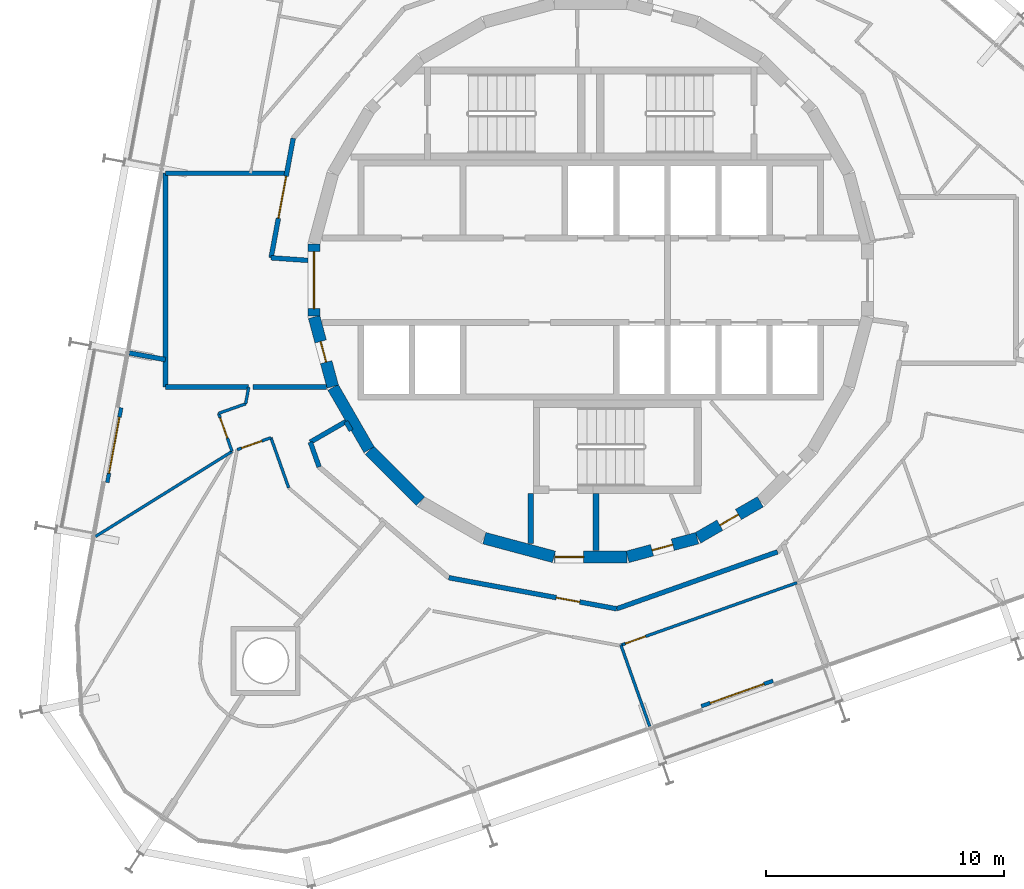
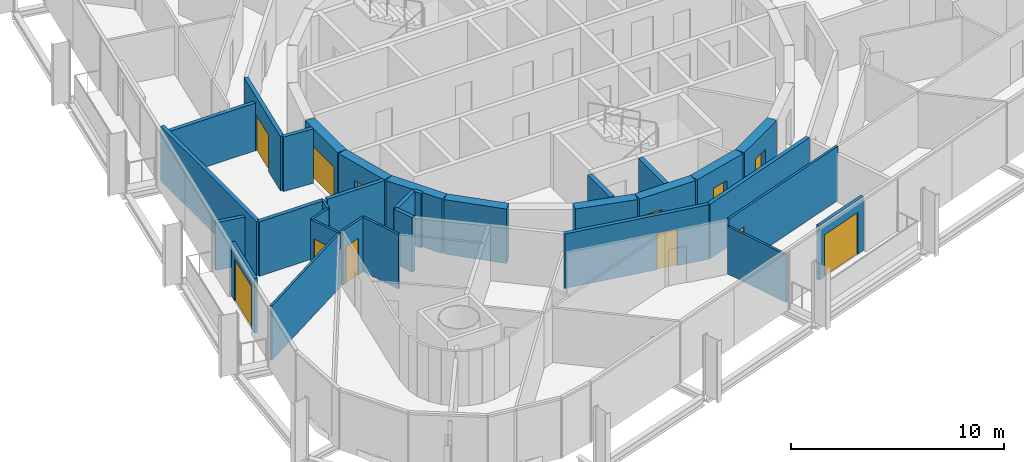
# One storey, part 11 of 17: 32 walls, 12 doors, 12 openings.
"""IFC4 building model written with IfcOpenShell, lengths in metres."""

from ifc_helpers import new_model, si_unit, direction, frame, frame_2d, origin, place, context, subcontext, project, spatial, rectangle, extrude, material, layer, layer_set, type_object, element, fill, save


model = new_model("IFC4")

# Units and contexts
model_context = context("Model", 3, precision=1e-05, world=origin(), true_north=direction((0.0, 1.0)))
body_context = subcontext(model_context, "Body", "Model", "MODEL_VIEW")
ifc_project = project(units=[si_unit("LENGTHUNIT", "METRE"), si_unit("AREAUNIT", "SQUARE_METRE"), si_unit("VOLUMEUNIT", "CUBIC_METRE"), si_unit("PLANEANGLEUNIT", "RADIAN"), si_unit("MASSUNIT", "GRAM", prefix="KILO")], contexts=[model_context])

# Site, building, storey
site_placement = place(None, origin())
site = spatial("IfcSite", under=ifc_project, at=site_placement, CompositionType="ELEMENT")
building_placement = place(site_placement, origin())
building = spatial("IfcBuilding", under=site, at=building_placement, Name="Spindle Arch Residences", CompositionType="ELEMENT")
storey_placement = place(building_placement, frame((0.0, 0.0, 169.199951171875)))
storey = spatial("IfcBuildingStorey", under=building, at=storey_placement, Name="L42", CompositionType="ELEMENT", Elevation=169.199951171875)

# Wall, opening, door
ifc_material_1 = material(Name="Concrete C50/60", Category="concrete")
ifc_layer_1 = layer(ifc_material_1, 0.5)
ifc_layer_set_1 = layer_set([ifc_layer_1], Name="Core outline wall 500")
wall_type_1 = type_object("IfcWallType", Name="Core outline wall 500", PredefinedType="SHEAR", material=ifc_layer_set_1)
wall_1_placement = place(storey_placement, frame((1.5498046875, -11.642822265625, 0.0), z_axis=(0.0, 0.0, 1.0), x_axis=(0.965948410781, 0.258734743916, 0.0)))
wall_1 = element("IfcWall", 1, at=wall_1_placement, inside=storey, type_object=wall_type_1, Name="Core outline wall 1", PredefinedType="SHEAR", context=body_context, shape_type="SweptSolid", body=[
    extrude(rectangle(XDim=3.03271484375, YDim=0.5, at=frame_2d((1.516357421875, 0.0))), origin(), (0.0, 0.0, 1.0), 3.1201171875),
])
opening_1_placement = place(wall_1_placement, frame((1.06640625, 0.0, 0.0)))
opening_1 = element("IfcOpeningElement", 2, at=opening_1_placement, cuts=wall_1, Name="Opening R4B1-WD07", PredefinedType="OPENING", context=body_context, shape_type="SweptSolid", body=[
    extrude(rectangle(XDim=0.89990234375, YDim=2.10009765625, at=frame_2d((0.449951171875, 1.050048828125))), frame((0.0, 0.260009765625, 0.0), z_axis=(0.0, -1.0, 0.0), x_axis=(1.0, 0.0, 0.0)), (0.0, 0.0, 1.0), 0.52001953125),
])
ifc_material_2 = material(Name="Steel, fire-resisting door", Category="steel")
door_type_1 = type_object("IfcDoorType", Name="Service room door 900x2100", OperationType="SINGLE_SWING_LEFT", PredefinedType="DOOR", material=ifc_material_2)
door_1_placement = place(opening_1_placement, origin())
door_1 = element("IfcDoor", 3, at=door_1_placement, inside=storey, type_object=door_type_1, Name="Service room door R4B1-WD07", OperationType="SINGLE_SWING_LEFT", OverallHeight=2.10009765625, OverallWidth=0.89990234375, PredefinedType="DOOR", context=body_context, shape_type="SweptSolid", body=[
    extrude(rectangle(XDim=0.89990234375, YDim=2.10009765625, at=frame_2d((0.449951171875, 1.050048828125))), frame((0.0, 0.02490234375, 0.0), z_axis=(0.0, -1.0, 0.0), x_axis=(1.0, 0.0, 0.0)), (0.0, 0.0, 1.0), 0.050048828125),
])
fill(opening_1, door_1)

wall_2_placement = place(storey_placement, frame((4.510498046875, -10.84521484375, 0.0), z_axis=(0.0, 0.0, 1.0), x_axis=(0.865975092491, 0.500087131594, 0.0)))
wall_2 = element("IfcWall", 4, at=wall_2_placement, inside=storey, type_object=wall_type_1, Name="Core outline wall 2", PredefinedType="SHEAR", context=body_context, shape_type="SweptSolid", body=[
    extrude(rectangle(XDim=3.03271484375, YDim=0.5, at=frame_2d((1.516357421875, 0.0))), origin(), (0.0, 0.0, 1.0), 3.1201171875),
])
opening_2_placement = place(wall_2_placement, frame((1.06640625, 0.0, 0.0)))
opening_2 = element("IfcOpeningElement", 5, at=opening_2_placement, cuts=wall_2, Name="Opening R4B1-WD08", PredefinedType="OPENING", context=body_context, shape_type="SweptSolid", body=[
    extrude(rectangle(XDim=0.89990234375, YDim=2.10009765625, at=frame_2d((0.449951171875, 1.050048828125))), frame((0.0, 0.260009765625, 0.0), z_axis=(0.0, -1.0, 0.0), x_axis=(1.0, 0.0, 0.0)), (0.0, 0.0, 1.0), 0.52001953125),
])
door_2_placement = place(opening_2_placement, origin())
door_2 = element("IfcDoor", 6, at=door_2_placement, inside=storey, type_object=door_type_1, Name="Service room door R4B1-WD08", OperationType="SINGLE_SWING_RIGHT", OverallHeight=2.10009765625, OverallWidth=0.89990234375, PredefinedType="DOOR", context=body_context, shape_type="SweptSolid", body=[
    extrude(rectangle(XDim=0.89990234375, YDim=2.10009765625, at=frame_2d((0.449951171875, 1.050048828125))), frame((0.0, 0.02490234375, 0.0), z_axis=(0.0, -1.0, 0.0), x_axis=(1.0, 0.0, 0.0)), (0.0, 0.0, 1.0), 0.050048828125),
])
fill(opening_2, door_2)

wall_3_placement = place(storey_placement, frame((-11.647216796875, 1.516357421875, 0.0), z_axis=(0.0, 0.0, 1.0), x_axis=(0.0, -1.0, 0.0)))
wall_3 = element("IfcWall", 7, at=wall_3_placement, inside=storey, type_object=wall_type_1, Name="Core outline wall 18", PredefinedType="SHEAR", context=body_context, shape_type="SweptSolid", body=[
    extrude(rectangle(XDim=3.03271484375, YDim=0.5, at=frame_2d((1.516357421875, 0.0))), origin(), (0.0, 0.0, 1.0), 3.1201171875),
])
opening_3_placement = place(wall_3_placement, frame((0.31640625, 0.0, 0.0)))
opening_3 = element("IfcOpeningElement", 8, at=opening_3_placement, cuts=wall_3, Name="Opening R4B1-LE01", PredefinedType="OPENING", context=body_context, shape_type="SweptSolid", body=[
    extrude(rectangle(XDim=2.39990234375, YDim=2.10009765625, at=frame_2d((1.199951171875, 1.050048828125))), frame((0.0, 0.260009765625, 0.0), z_axis=(0.0, -1.0, 0.0), x_axis=(1.0, 0.0, 0.0)), (0.0, 0.0, 1.0), 0.52001953125),
])
ifc_material_3 = material(Name="Steel, fire-resisting door", Category="steel")
door_type_2 = type_object("IfcDoorType", Name="Lift lobby entrance door 2400x2100", OperationType="DOUBLE_DOOR_SINGLE_SWING", PredefinedType="DOOR", material=ifc_material_3)
door_3_placement = place(opening_3_placement, origin())
door_3 = element("IfcDoor", 9, at=door_3_placement, inside=storey, type_object=door_type_2, Name="Lift lobby entrance door R4B1-LE01", OperationType="DOUBLE_DOOR_SINGLE_SWING", OverallHeight=2.10009765625, OverallWidth=2.39990234375, PredefinedType="DOOR", context=body_context, shape_type="SweptSolid", body=[
    extrude(rectangle(XDim=2.39990234375, YDim=2.10009765625, at=frame_2d((1.199951171875, 1.050048828125))), frame((0.0, 0.02490234375, 0.0), z_axis=(0.0, -1.0, 0.0), x_axis=(1.0, 0.0, 0.0)), (0.0, 0.0, 1.0), 0.050048828125),
])
fill(opening_3, door_3)

wall_4_placement = place(storey_placement, frame((-11.642822265625, -1.5498046875, 0.0), z_axis=(0.0, 0.0, 1.0), x_axis=(0.258734743916, -0.965948410781, 0.0)))
wall_4 = element("IfcWall", 10, at=wall_4_placement, inside=storey, type_object=wall_type_1, Name="Core outline wall 19", PredefinedType="SHEAR", context=body_context, shape_type="SweptSolid", body=[
    extrude(rectangle(XDim=3.03271484375, YDim=0.5, at=frame_2d((1.516357421875, 0.0))), origin(), (0.0, 0.0, 1.0), 3.1201171875),
])
opening_4_placement = place(wall_4_placement, frame((1.06640625, 0.0, 0.0)))
opening_4 = element("IfcOpeningElement", 11, at=opening_4_placement, cuts=wall_4, Name="Opening R4B1-WD09", PredefinedType="OPENING", context=body_context, shape_type="SweptSolid", body=[
    extrude(rectangle(XDim=0.89990234375, YDim=2.10009765625, at=frame_2d((0.449951171875, 1.050048828125))), frame((0.0, 0.260009765625, 0.0), z_axis=(0.0, -1.0, 0.0), x_axis=(1.0, 0.0, 0.0)), (0.0, 0.0, 1.0), 0.52001953125),
])
door_4_placement = place(opening_4_placement, origin())
door_4 = element("IfcDoor", 12, at=door_4_placement, inside=storey, type_object=door_type_1, Name="Service room door R4B1-WD09", OperationType="SINGLE_SWING_LEFT", OverallHeight=2.10009765625, OverallWidth=0.89990234375, PredefinedType="DOOR", context=body_context, shape_type="SweptSolid", body=[
    extrude(rectangle(XDim=0.89990234375, YDim=2.10009765625, at=frame_2d((0.449951171875, 1.050048828125))), frame((0.0, 0.02490234375, 0.0), z_axis=(0.0, -1.0, 0.0), x_axis=(1.0, 0.0, 0.0)), (0.0, 0.0, 1.0), 0.050048828125),
])
fill(opening_4, door_4)

# Walls
wall_5_placement = place(storey_placement, frame((-10.84521484375, -4.510498046875, 0.0), z_axis=(0.0, 0.0, 1.0), x_axis=(0.500087131594, -0.865975092491, 0.0)))
element("IfcWall", 13, at=wall_5_placement, inside=storey, type_object=wall_type_1, Name="Core outline wall 20", PredefinedType="SHEAR", context=body_context, shape_type="SweptSolid", body=[
    extrude(rectangle(XDim=3.03271484375, YDim=0.5, at=frame_2d((1.516357421875, 0.0))), origin(), (0.0, 0.0, 1.0), 3.1201171875),
])
wall_6_placement = place(storey_placement, frame((-9.30810546875, -7.163818359375, 0.0), z_axis=(0.0, 0.0, 1.0), x_axis=(0.707106781187, -0.707106781187, 0.0)))
element("IfcWall", 14, at=wall_6_placement, inside=storey, type_object=wall_type_1, Name="Core outline wall 21", PredefinedType="SHEAR", context=body_context, shape_type="SweptSolid", body=[
    extrude(rectangle(XDim=3.032470703125, YDim=0.5, at=frame_2d((1.51611328125, 0.0))), origin(), (0.0, 0.0, 1.0), 3.1201171875),
])
wall_7_placement = place(storey_placement, frame((-4.479248046875, -10.858154296875, 0.0), z_axis=(0.0, 0.0, 1.0), x_axis=(0.965948410781, -0.258734743916, 0.0)))
element("IfcWall", 15, at=wall_7_placement, inside=storey, type_object=wall_type_1, Name="Core outline wall 23", PredefinedType="SHEAR", context=body_context, shape_type="SweptSolid", body=[
    extrude(rectangle(XDim=3.03271484375, YDim=0.5, at=frame_2d((1.516357421875, 0.0))), origin(), (0.0, 0.0, 1.0), 3.1201171875),
])

# Wall, opening, door
wall_8_placement = place(storey_placement, frame((-1.516357421875, -11.647216796875, 0.0), z_axis=(0.0, 0.0, 1.0), x_axis=(1.0, 0.0, 0.0)))
wall_8 = element("IfcWall", 16, at=wall_8_placement, inside=storey, type_object=wall_type_1, Name="Core outline wall 24", PredefinedType="SHEAR", context=body_context, shape_type="SweptSolid", body=[
    extrude(rectangle(XDim=3.03271484375, YDim=0.5, at=frame_2d((1.516357421875, 0.0))), origin(), (0.0, 0.0, 1.0), 3.1201171875),
])
opening_5_placement = place(wall_8_placement, frame((0.016357421875, 0.0, 0.0)))
opening_5 = element("IfcOpeningElement", 17, at=opening_5_placement, cuts=wall_8, Name="Opening R4B1-AD03", PredefinedType="OPENING", context=body_context, shape_type="SweptSolid", body=[
    extrude(rectangle(XDim=1.199951171875, YDim=2.10009765625, at=frame_2d((0.60009765625, 1.050048828125))), frame((0.0, 0.260009765625, 0.0), z_axis=(0.0, -1.0, 0.0), x_axis=(1.0, 0.0, 0.0)), (0.0, 0.0, 1.0), 0.52001953125),
])
ifc_material_4 = material(Name="Steel, fire-resisting door", Category="steel")
door_type_3 = type_object("IfcDoorType", Name="Stair airlock door 1200x2100", OperationType="SINGLE_SWING_LEFT", PredefinedType="DOOR", material=ifc_material_4)
door_5_placement = place(opening_5_placement, origin())
door_5 = element("IfcDoor", 18, at=door_5_placement, inside=storey, type_object=door_type_3, Name="Stair airlock door R4B1-AD03", OperationType="SINGLE_SWING_RIGHT", OverallHeight=2.10009765625, OverallWidth=1.199951171875, PredefinedType="DOOR", context=body_context, shape_type="SweptSolid", body=[
    extrude(rectangle(XDim=1.199951171875, YDim=2.10009765625, at=frame_2d((0.60009765625, 1.050048828125))), frame((0.0, 0.02490234375, 0.0), z_axis=(0.0, -1.0, 0.0), x_axis=(1.0, 0.0, 0.0)), (0.0, 0.0, 1.0), 0.050048828125),
])
fill(opening_5, door_5)

# Walls
ifc_material_5 = material(Name="Calcium silicate block, plastered")
ifc_layer_2 = layer(ifc_material_5, 0.199951171875)
ifc_layer_set_2 = layer_set([ifc_layer_2], Name="Corridor wall 200")
wall_type_2 = type_object("IfcWallType", Name="Corridor wall 200", PredefinedType="STANDARD", material=ifc_layer_set_2)
wall_9_placement = place(storey_placement, frame((-10.303466796875, -5.94873046875, 0.0), z_axis=(0.0, 0.0, 1.0), x_axis=(-0.866021168401, -0.500007335828, 0.0)))
element("IfcWall", 19, at=wall_9_placement, inside=storey, type_object=wall_type_2, Name="Corridor wall R4B1-W014", PredefinedType="STANDARD", context=body_context, shape_type="SweptSolid", body=[
    extrude(rectangle(XDim=1.73095703125, YDim=0.199951171875, at=frame_2d((0.865478515625, 0.0))), origin(), (0.0, 0.0, 1.0), 3.1201171875),
])
wall_10_placement = place(storey_placement, frame((-11.802490234375, -6.814208984375, 0.0), z_axis=(0.0, 0.0, 1.0), x_axis=(0.333904297771, -0.942606980629, 0.0)))
element("IfcWall", 20, at=wall_10_placement, inside=storey, type_object=wall_type_2, Name="Corridor wall R4B1-W015", PredefinedType="STANDARD", context=body_context, shape_type="SweptSolid", body=[
    extrude(rectangle(XDim=1.10693359375, YDim=0.199951171875, at=frame_2d((0.553466796875, 0.0))), origin(), (0.0, 0.0, 1.0), 3.1201171875),
])
wall_11_placement = place(storey_placement, frame((-10.303466796875, -5.94873046875, 0.0), z_axis=(0.0, 0.0, 1.0), x_axis=(0.499980071345, -0.866036909293, 0.0)))
element("IfcWall", 21, at=wall_11_placement, inside=storey, type_object=wall_type_2, Name="Corridor wall R4B1-W017", PredefinedType="STANDARD", context=body_context, shape_type="SweptSolid", body=[
    extrude(rectangle(XDim=0.4375, YDim=0.199951171875, at=frame_2d((0.21875, 0.0))), origin(), (0.0, 0.0, 1.0), 3.1201171875),
])

# Wall, opening, door
wall_12_placement = place(storey_placement, frame((-5.972412109375, -12.521240234375, 0.0), z_axis=(0.0, 0.0, 1.0), x_axis=(0.983256068163, -0.18222926335, 0.0)))
wall_12 = element("IfcWall", 22, at=wall_12_placement, inside=storey, type_object=wall_type_2, Name="Corridor wall R4B1-W018", PredefinedType="STANDARD", context=body_context, shape_type="SweptSolid", body=[
    extrude(rectangle(XDim=7.180908203125, YDim=0.199951171875, at=frame_2d((3.59033203125, 0.0))), origin(), (0.0, 0.0, 1.0), 3.1201171875),
])
opening_6_placement = place(wall_12_placement, frame((4.60009765625, 0.0, 0.0)))
opening_6 = element("IfcOpeningElement", 23, at=opening_6_placement, cuts=wall_12, Name="Opening R4B1-FD05", PredefinedType="OPENING", context=body_context, shape_type="SweptSolid", body=[
    extrude(rectangle(XDim=1.0, YDim=2.10009765625, at=frame_2d((0.5, 1.050048828125))), frame((0.0, 0.10986328125, 0.0), z_axis=(0.0, -1.0, 0.0), x_axis=(1.0, 0.0, 0.0)), (0.0, 0.0, 1.0), 0.219970703125),
])
ifc_material_6 = material(Name="Timber, fire-resisting door set", Category="wood")
door_type_4 = type_object("IfcDoorType", Name="Flat entrance door 1000x2100", OperationType="NOTDEFINED", PredefinedType="DOOR", material=ifc_material_6)
door_6_placement = place(opening_6_placement, origin())
door_6 = element("IfcDoor", 24, at=door_6_placement, inside=storey, type_object=door_type_4, Name="Flat entrance door R4B1-FD05", OperationType="SINGLE_SWING_LEFT", OverallHeight=2.10009765625, OverallWidth=1.0, PredefinedType="DOOR", context=body_context, shape_type="SweptSolid", body=[
    extrude(rectangle(XDim=1.0, YDim=2.10009765625, at=frame_2d((0.5, 1.050048828125))), frame((0.0, 0.02490234375, 0.0), z_axis=(0.0, -1.0, 0.0), x_axis=(1.0, 0.0, 0.0)), (0.0, 0.0, 1.0), 0.050048828125),
])
fill(opening_6, door_6)

# Walls
wall_13_placement = place(storey_placement, frame((1.08837890625, -13.829833984375, 0.0), z_axis=(0.0, 0.0, 1.0), x_axis=(0.942648397945, 0.333787354241, 0.0)))
element("IfcWall", 25, at=wall_13_placement, inside=storey, type_object=wall_type_2, Name="Corridor wall R4B1-W019", PredefinedType="STANDARD", context=body_context, shape_type="SweptSolid", body=[
    extrude(rectangle(XDim=7.18115234375, YDim=0.199951171875, at=frame_2d((3.590576171875, 0.0))), origin(), (0.0, 0.0, 1.0), 3.1201171875),
])
ifc_material_7 = material(Name="Plasterboard on steel studs", Category="steel")
ifc_layer_3 = layer(ifc_material_7, 0.1201171875)
ifc_layer_set_3 = layer_set([ifc_layer_3], Name="Flat partition 120")
wall_type_3 = type_object("IfcWallType", Name="Flat partition 120", PredefinedType="PARTITIONING", material=ifc_layer_set_3)
wall_14_placement = place(storey_placement, frame((-14.39404296875, -4.5, 0.0), z_axis=(0.0, 0.0, 1.0), x_axis=(-0.182101494457, -0.983279739299, 0.0)))
element("IfcWall", 26, at=wall_14_placement, inside=storey, type_object=wall_type_3, Name="Flat partition R4B1-W084", PredefinedType="PARTITIONING", context=body_context, shape_type="SweptSolid", body=[
    extrude(rectangle(XDim=0.714599609375, YDim=0.1201171875, at=frame_2d((0.357421875, 0.0))), origin(), (0.0, 0.0, 1.0), 3.1201171875),
])
wall_15_placement = place(storey_placement, frame((-14.524169921875, -5.20263671875, 0.0), z_axis=(0.0, 0.0, 1.0), x_axis=(-0.942657704592, -0.333761070187, 0.0)))
element("IfcWall", 27, at=wall_15_placement, inside=storey, type_object=wall_type_3, Name="Flat partition R4B1-W085", PredefinedType="PARTITIONING", context=body_context, shape_type="SweptSolid", body=[
    extrude(rectangle(XDim=1.207763671875, YDim=0.1201171875, at=frame_2d((0.60400390625, 0.0))), origin(), (0.0, 0.0, 1.0), 3.1201171875),
])

# Wall, opening, door
wall_16_placement = place(storey_placement, frame((-15.66259765625, -5.605712890625, 0.0), z_axis=(0.0, 0.0, 1.0), x_axis=(0.333751436931, -0.942661115325, 0.0)))
wall_16 = element("IfcWall", 28, at=wall_16_placement, inside=storey, type_object=wall_type_3, Name="Flat partition R4B1-W086", PredefinedType="PARTITIONING", context=body_context, shape_type="SweptSolid", body=[
    extrude(rectangle(XDim=1.699951171875, YDim=0.1201171875, at=frame_2d((0.85009765625, 0.0))), origin(), (0.0, 0.0, 1.0), 3.1201171875),
])
opening_7_placement = place(wall_16_placement, frame((0.199951171875, 0.0, 0.0)))
opening_7 = element("IfcOpeningElement", 29, at=opening_7_placement, cuts=wall_16, Name="Opening R4B1-ID17", PredefinedType="OPENING", context=body_context, shape_type="SweptSolid", body=[
    extrude(rectangle(XDim=0.89990234375, YDim=2.10009765625, at=frame_2d((0.449951171875, 1.050048828125))), frame((0.0, 0.070068359375, 0.0), z_axis=(0.0, -1.0, 0.0), x_axis=(1.0, 0.0, 0.0)), (0.0, 0.0, 1.0), 0.14013671875),
])
ifc_material_8 = material(Name="Timber door set", Category="wood")
door_type_5 = type_object("IfcDoorType", Name="Room door 900x2100", OperationType="NOTDEFINED", PredefinedType="DOOR", material=ifc_material_8)
door_7_placement = place(opening_7_placement, origin())
door_7 = element("IfcDoor", 30, at=door_7_placement, inside=storey, type_object=door_type_5, Name="Room door R4B1-ID17", OperationType="SINGLE_SWING_RIGHT", OverallHeight=2.10009765625, OverallWidth=0.89990234375, PredefinedType="DOOR", context=body_context, shape_type="SweptSolid", body=[
    extrude(rectangle(XDim=0.89990234375, YDim=2.10009765625, at=frame_2d((0.449951171875, 1.050048828125))), frame((0.0, 0.02490234375, 0.0), z_axis=(0.0, -1.0, 0.0), x_axis=(1.0, 0.0, 0.0)), (0.0, 0.0, 1.0), 0.050048828125),
])
fill(opening_7, door_7)

wall_17_placement = place(storey_placement, frame((-14.882080078125, -7.1328125, 0.0), z_axis=(0.0, 0.0, 1.0), x_axis=(0.942631466676, 0.333835165961, 0.0)))
wall_17 = element("IfcWall", 31, at=wall_17_placement, inside=storey, type_object=wall_type_3, Name="Flat partition R4B1-W087", PredefinedType="PARTITIONING", context=body_context, shape_type="SweptSolid", body=[
    extrude(rectangle(XDim=1.509521484375, YDim=0.1201171875, at=frame_2d((0.7548828125, 0.0))), origin(), (0.0, 0.0, 1.0), 3.1201171875),
])
opening_8_placement = place(wall_17_placement, frame((0.199951171875, 0.0, 0.0)))
opening_8 = element("IfcOpeningElement", 32, at=opening_8_placement, cuts=wall_17, Name="Opening R4B1-ID18", PredefinedType="OPENING", context=body_context, shape_type="SweptSolid", body=[
    extrude(rectangle(XDim=0.89990234375, YDim=2.10009765625, at=frame_2d((0.449951171875, 1.050048828125))), frame((0.0, 0.070068359375, 0.0), z_axis=(0.0, -1.0, 0.0), x_axis=(1.0, 0.0, 0.0)), (0.0, 0.0, 1.0), 0.14013671875),
])
door_8_placement = place(opening_8_placement, origin())
door_8 = element("IfcDoor", 33, at=door_8_placement, inside=storey, type_object=door_type_5, Name="Room door R4B1-ID18", OperationType="SINGLE_SWING_LEFT", OverallHeight=2.10009765625, OverallWidth=0.89990234375, PredefinedType="DOOR", context=body_context, shape_type="SweptSolid", body=[
    extrude(rectangle(XDim=0.89990234375, YDim=2.10009765625, at=frame_2d((0.449951171875, 1.050048828125))), frame((0.0, 0.02490234375, 0.0), z_axis=(0.0, -1.0, 0.0), x_axis=(1.0, 0.0, 0.0)), (0.0, 0.0, 1.0), 0.050048828125),
])
fill(opening_8, door_8)

# Walls
wall_18_placement = place(storey_placement, frame((-13.459228515625, -6.62890625, 0.0), z_axis=(0.0, 0.0, 1.0), x_axis=(0.333790565501, -0.942647260847, 0.0)))
element("IfcWall", 34, at=wall_18_placement, inside=storey, type_object=wall_type_3, Name="Flat partition R4B1-W088", PredefinedType="PARTITIONING", context=body_context, shape_type="SweptSolid", body=[
    extrude(rectangle(XDim=2.236572265625, YDim=0.1201171875, at=frame_2d((1.1181640625, 0.0))), origin(), (0.0, 0.0, 1.0), 3.1201171875),
])
wall_19_placement = place(storey_placement, frame((-20.8486328125, -10.79150390625, 0.0), z_axis=(0.0, 0.0, 1.0), x_axis=(0.848835001009, 0.528657867682, 0.0)))
element("IfcWall", 35, at=wall_19_placement, inside=storey, type_object=wall_type_3, Name="Flat partition R4B1-W090", PredefinedType="PARTITIONING", context=body_context, shape_type="SweptSolid", body=[
    extrude(rectangle(XDim=6.778076171875, YDim=0.1201171875, at=frame_2d((3.38916015625, 0.0))), origin(), (0.0, 0.0, 1.0), 3.1201171875),
])

# Wall, opening, door
wall_20_placement = place(storey_placement, frame((1.26904296875, -15.357177734375, 0.0), z_axis=(0.0, 0.0, 1.0), x_axis=(0.942639442898, 0.333812643101, 0.0)))
wall_20 = element("IfcWall", 36, at=wall_20_placement, inside=storey, type_object=wall_type_3, Name="Flat partition R4B1-W102", PredefinedType="PARTITIONING", context=body_context, shape_type="SweptSolid", body=[
    extrude(rectangle(XDim=7.860107421875, YDim=0.1201171875, at=frame_2d((3.93017578125, 0.0))), origin(), (0.0, 0.0, 1.0), 3.1201171875),
])
opening_9_placement = place(wall_20_placement, frame((0.199951171875, 0.0, 0.0)))
opening_9 = element("IfcOpeningElement", 37, at=opening_9_placement, cuts=wall_20, Name="Opening R4B1-ID23", PredefinedType="OPENING", context=body_context, shape_type="SweptSolid", body=[
    extrude(rectangle(XDim=0.89990234375, YDim=2.10009765625, at=frame_2d((0.449951171875, 1.050048828125))), frame((0.0, 0.070068359375, 0.0), z_axis=(0.0, -1.0, 0.0), x_axis=(1.0, 0.0, 0.0)), (0.0, 0.0, 1.0), 0.14013671875),
])
door_9_placement = place(opening_9_placement, origin())
door_9 = element("IfcDoor", 38, at=door_9_placement, inside=storey, type_object=door_type_5, Name="Room door R4B1-ID23", OperationType="SINGLE_SWING_LEFT", OverallHeight=2.10009765625, OverallWidth=0.89990234375, PredefinedType="DOOR", context=body_context, shape_type="SweptSolid", body=[
    extrude(rectangle(XDim=0.89990234375, YDim=2.10009765625, at=frame_2d((0.449951171875, 1.050048828125))), frame((0.0, 0.02490234375, 0.0), z_axis=(0.0, -1.0, 0.0), x_axis=(1.0, 0.0, 0.0)), (0.0, 0.0, 1.0), 0.050048828125),
])
fill(opening_9, door_9)

# Walls
ifc_material_9 = material(Name="Plasterboard on steel studs", Category="steel")
ifc_layer_4 = layer(ifc_material_9, 0.1201171875)
ifc_layer_set_4 = layer_set([ifc_layer_4], Name="Flat partition 120 under beam 2730")
wall_type_4 = type_object("IfcWallType", Name="Flat partition 120 under beam 2730", PredefinedType="PARTITIONING", material=ifc_layer_set_4)
wall_21_placement = place(storey_placement, frame((2.481689453125, -18.78173828125, 0.0), z_axis=(0.0, 0.0, 1.0), x_axis=(-0.33379364943, 0.942646168825, 0.0)))
element("IfcWall", 39, at=wall_21_placement, inside=storey, type_object=wall_type_4, Name="Flat partition R4B1-W111", PredefinedType="PARTITIONING", context=body_context, shape_type="SweptSolid", body=[
    extrude(rectangle(XDim=3.6328125, YDim=0.1201171875, at=frame_2d((1.81640625, 0.0))), origin(), (0.0, 0.0, 1.0), 2.72998046875),
])
ifc_material_10 = material(Name="Calcium silicate block, plastered")
ifc_layer_5 = layer(ifc_material_10, 0.199951171875)
ifc_layer_set_5 = layer_set([ifc_layer_5], Name="Flat party wall 200 under beam 2730")
wall_type_5 = type_object("IfcWallType", Name="Flat party wall 200 under beam 2730", PredefinedType="STANDARD", material=ifc_layer_set_5)
wall_22_placement = place(storey_placement, frame((-19.416259765625, -3.06298828125, 0.0), z_axis=(0.0, 0.0, 1.0), x_axis=(0.983258901558, -0.182213974512, 0.0)))
element("IfcWall", 40, at=wall_22_placement, inside=storey, type_object=wall_type_5, Name="Flat party wall R4B1-W034", PredefinedType="STANDARD", context=body_context, shape_type="SweptSolid", body=[
    extrude(rectangle(XDim=1.542236328125, YDim=0.199951171875, at=frame_2d((0.77099609375, 0.0))), origin(), (0.0, 0.0, 1.0), 2.72998046875),
])

# Wall, opening, door
ifc_material_11 = material(Name="Non-combustible mineral wool insulated aluminium faced external wall (K0)", Category="aluminium")
ifc_layer_6 = layer(ifc_material_11, 0.159912109375)
ifc_layer_set_6 = layer_set([ifc_layer_6], Name="Insulated external wall panel 160")
wall_type_6 = type_object("IfcWallType", Name="Insulated external wall panel 160", PredefinedType="STANDARD", material=ifc_layer_set_6)
wall_23_placement = place(storey_placement, frame((-19.76220703125, -5.36865234375, 0.0), z_axis=(0.0, 0.0, 1.0), x_axis=(-0.18226136951, -0.983250117307, 0.0)))
wall_23 = element("IfcWall", 41, at=wall_23_placement, inside=storey, type_object=wall_type_6, Name="External wall L42 bay 16", PredefinedType="STANDARD", context=body_context, shape_type="SweptSolid", body=[
    extrude(rectangle(XDim=3.2001953125, YDim=0.159912109375, at=frame_2d((1.60009765625, 0.0))), origin(), (0.0, 0.0, 1.0), 3.1201171875),
])
opening_10_placement = place(wall_23_placement, frame((0.39990234375, 0.0, 0.0)))
opening_10 = element("IfcOpeningElement", 42, at=opening_10_placement, cuts=wall_23, Name="Opening BD16", PredefinedType="OPENING", context=body_context, shape_type="SweptSolid", body=[
    extrude(rectangle(XDim=2.39990234375, YDim=2.39990234375, at=frame_2d((1.199951171875, 1.199951171875))), frame((0.0, 0.08984375, 0.0), z_axis=(0.0, -1.0, 0.0), x_axis=(1.0, 0.0, 0.0)), (0.0, 0.0, 1.0), 0.179931640625),
])
ifc_material_12 = material(Name="Bronze aluminium frame, tinted double glazing", Category="aluminium")
door_type_6 = type_object("IfcDoorType", Name="Sliding glazed balcony door 2400x2400", OperationType="DOUBLE_DOOR_SLIDING", PredefinedType="DOOR", material=ifc_material_12)
door_10_placement = place(opening_10_placement, origin())
door_10 = element("IfcDoor", 43, at=door_10_placement, inside=storey, type_object=door_type_6, Name="Balcony door BD16", OperationType="DOUBLE_DOOR_SLIDING", OverallHeight=2.39990234375, OverallWidth=2.39990234375, PredefinedType="DOOR", context=body_context, shape_type="SweptSolid", body=[
    extrude(rectangle(XDim=2.39990234375, YDim=2.39990234375, at=frame_2d((1.199951171875, 1.199951171875))), frame((0.0, 0.02490234375, 0.0), z_axis=(0.0, -1.0, 0.0), x_axis=(1.0, 0.0, 0.0)), (0.0, 0.0, 1.0), 0.050048828125),
])
fill(opening_10, door_10)

wall_24_placement = place(storey_placement, frame((4.651611328125, -17.9287109375, 0.0), z_axis=(0.0, 0.0, 1.0), x_axis=(0.942620722428, 0.333865502335, 0.0)))
wall_24 = element("IfcWall", 44, at=wall_24_placement, inside=storey, type_object=wall_type_6, Name="External wall L42 bay 22", PredefinedType="STANDARD", context=body_context, shape_type="SweptSolid", body=[
    extrude(rectangle(XDim=3.199951171875, YDim=0.159912109375, at=frame_2d((1.60009765625, 0.0))), origin(), (0.0, 0.0, 1.0), 3.1201171875),
])
opening_11_placement = place(wall_24_placement, frame((0.39990234375, 0.0, 0.0)))
opening_11 = element("IfcOpeningElement", 45, at=opening_11_placement, cuts=wall_24, Name="Opening BD22", PredefinedType="OPENING", context=body_context, shape_type="SweptSolid", body=[
    extrude(rectangle(XDim=2.39990234375, YDim=2.39990234375, at=frame_2d((1.199951171875, 1.199951171875))), frame((0.0, 0.08984375, 0.0), z_axis=(0.0, -1.0, 0.0), x_axis=(1.0, 0.0, 0.0)), (0.0, 0.0, 1.0), 0.179931640625),
])
door_11_placement = place(opening_11_placement, origin())
door_11 = element("IfcDoor", 46, at=door_11_placement, inside=storey, type_object=door_type_6, Name="Balcony door BD22", OperationType="DOUBLE_DOOR_SLIDING", OverallHeight=2.39990234375, OverallWidth=2.39990234375, PredefinedType="DOOR", context=body_context, shape_type="SweptSolid", body=[
    extrude(rectangle(XDim=2.39990234375, YDim=2.39990234375, at=frame_2d((1.199951171875, 1.199951171875))), frame((0.0, 0.02490234375, 0.0), z_axis=(0.0, -1.0, 0.0), x_axis=(1.0, 0.0, 0.0)), (0.0, 0.0, 1.0), 0.050048828125),
])
fill(opening_11, door_11)

ifc_material_13 = material(Name="Calcium silicate block, plastered")
ifc_layer_7 = layer(ifc_material_13, 0.199951171875)
ifc_layer_set_7 = layer_set([ifc_layer_7], Name="Lift lobby bay wall 200")
wall_type_7 = type_object("IfcWallType", Name="Lift lobby bay wall 200", PredefinedType="STANDARD", material=ifc_layer_set_7)
wall_25_placement = place(storey_placement, frame((-12.521240234375, 5.972412109375, 0.0), z_axis=(0.0, 0.0, 1.0), x_axis=(-0.182251559718, -0.983251935661, 0.0)))
wall_25 = element("IfcWall", 47, at=wall_25_placement, inside=storey, type_object=wall_type_7, Name="Lift lobby bay wall R4B1-W007", PredefinedType="STANDARD", context=body_context, shape_type="SweptSolid", body=[
    extrude(rectangle(XDim=5.1171875, YDim=0.199951171875, at=frame_2d((2.55859375, 0.0))), origin(), (0.0, 0.0, 1.0), 3.1201171875),
])
opening_12_placement = place(wall_25_placement, frame((1.62744140625, 0.0, 0.0)))
opening_12 = element("IfcOpeningElement", 48, at=opening_12_placement, cuts=wall_25, Name="Opening R4B1-LB01", PredefinedType="OPENING", context=body_context, shape_type="SweptSolid", body=[
    extrude(rectangle(XDim=1.800048828125, YDim=2.10009765625, at=frame_2d((0.89990234375, 1.050048828125))), frame((0.0, 0.10986328125, 0.0), z_axis=(0.0, -1.0, 0.0), x_axis=(1.0, 0.0, 0.0)), (0.0, 0.0, 1.0), 0.219970703125),
])
ifc_material_14 = material(Name="Steel, fire-resisting door", Category="steel")
door_type_7 = type_object("IfcDoorType", Name="Lift lobby bay door 1800x2100", OperationType="NOTDEFINED", PredefinedType="DOOR", material=ifc_material_14)
door_12_placement = place(opening_12_placement, origin())
door_12 = element("IfcDoor", 49, at=door_12_placement, inside=storey, type_object=door_type_7, Name="Lift lobby bay door R4B1-LB01", OperationType="DOUBLE_DOOR_SINGLE_SWING", OverallHeight=2.10009765625, OverallWidth=1.800048828125, PredefinedType="DOOR", context=body_context, shape_type="SweptSolid", body=[
    extrude(rectangle(XDim=1.800048828125, YDim=2.10009765625, at=frame_2d((0.89990234375, 1.050048828125))), frame((0.0, 0.02490234375, 0.0), z_axis=(0.0, -1.0, 0.0), x_axis=(1.0, 0.0, 0.0)), (0.0, 0.0, 1.0), 0.050048828125),
])
fill(opening_12, door_12)

# Walls
wall_26_placement = place(storey_placement, frame((-13.453857421875, 0.94091796875, 0.0), z_axis=(0.0, 0.0, 1.0), x_axis=(0.99755155062, -0.069934997354, 0.0)))
element("IfcWall", 50, at=wall_26_placement, inside=storey, type_object=wall_type_7, Name="Lift lobby bay wall R4B1-W008", PredefinedType="STANDARD", context=body_context, shape_type="SweptSolid", body=[
    extrude(rectangle(XDim=1.560546875, YDim=0.199951171875, at=frame_2d((0.7802734375, 0.0))), origin(), (0.0, 0.0, 1.0), 3.1201171875),
])
wall_27_placement = place(storey_placement, frame((-17.89990234375, 4.5, 0.0), z_axis=(0.0, 0.0, 1.0), x_axis=(0.0, -1.0, 0.0)))
element("IfcWall", 51, at=wall_27_placement, inside=storey, type_object=wall_type_7, Name="Lift lobby bay wall R4B1-W022", PredefinedType="STANDARD", context=body_context, shape_type="SweptSolid", body=[
    extrude(rectangle(XDim=9.0, YDim=0.199951171875, at=frame_2d((4.5, 0.0))), origin(), (0.0, 0.0, 1.0), 3.1201171875),
])
wall_28_placement = place(storey_placement, frame((-14.213134765625, -4.5, 0.0), z_axis=(0.0, 0.0, 1.0), x_axis=(1.0, 0.0, 0.0)))
element("IfcWall", 52, at=wall_28_placement, inside=storey, type_object=wall_type_7, Name="Lift lobby bay wall R4B1-W023", PredefinedType="STANDARD", context=body_context, shape_type="SweptSolid", body=[
    extrude(rectangle(XDim=3.101806640625, YDim=0.199951171875, at=frame_2d((1.55078125, 0.0))), origin(), (0.0, 0.0, 1.0), 3.1201171875),
])
wall_29_placement = place(storey_placement, frame((-17.89990234375, -4.5, 0.0), z_axis=(0.0, 0.0, 1.0), x_axis=(1.0, 0.0, 0.0)))
element("IfcWall", 53, at=wall_29_placement, inside=storey, type_object=wall_type_7, Name="Lift lobby bay wall R4B1-W024", PredefinedType="STANDARD", context=body_context, shape_type="SweptSolid", body=[
    extrude(rectangle(XDim=3.505859375, YDim=0.199951171875, at=frame_2d((1.7529296875, 0.0))), origin(), (0.0, 0.0, 1.0), 3.1201171875),
])
ifc_material_15 = material(Name="Calcium silicate block, plastered")
ifc_layer_8 = layer(ifc_material_15, 0.199951171875)
ifc_layer_set_8 = layer_set([ifc_layer_8], Name="Lift lobby bay wall 200 under beam 2730")
wall_type_8 = type_object("IfcWallType", Name="Lift lobby bay wall 200 under beam 2730", PredefinedType="STANDARD", material=ifc_layer_set_8)
wall_30_placement = place(storey_placement, frame((-12.794189453125, 4.5, 0.0), z_axis=(0.0, 0.0, 1.0), x_axis=(-1.0, 0.0, 0.0)))
element("IfcWall", 54, at=wall_30_placement, inside=storey, type_object=wall_type_8, Name="Lift lobby bay wall R4B1-W021", PredefinedType="STANDARD", context=body_context, shape_type="SweptSolid", body=[
    extrude(rectangle(XDim=5.105712890625, YDim=0.199951171875, at=frame_2d((2.552734375, 0.0))), origin(), (0.0, 0.0, 1.0), 2.72998046875),
])
ifc_material_16 = material(Name="Concrete C40/50", Category="concrete")
ifc_layer_9 = layer(ifc_material_16, 0.25)
ifc_layer_set_9 = layer_set([ifc_layer_9], Name="Stair airlock wall 250")
wall_type_9 = type_object("IfcWallType", Name="Stair airlock wall 250", PredefinedType="SHEAR", material=ifc_layer_set_9)
wall_31_placement = place(storey_placement, frame((-2.52490234375, -8.969970703125, 0.0), z_axis=(0.0, 0.0, 1.0), x_axis=(0.0, -1.0, 0.0)))
element("IfcWall", 55, at=wall_31_placement, inside=storey, type_object=wall_type_9, Name="Stair ST-3 airlock wall W", PredefinedType="SHEAR", context=body_context, shape_type="SweptSolid", body=[
    extrude(rectangle(XDim=2.110107421875, YDim=0.25, at=frame_2d((1.05517578125, 0.0))), origin(), (0.0, 0.0, 1.0), 3.1201171875),
])
wall_32_placement = place(storey_placement, frame((0.22509765625, -8.969970703125, 0.0), z_axis=(0.0, 0.0, 1.0), x_axis=(0.0, -1.0, 0.0)))
element("IfcWall", 56, at=wall_32_placement, inside=storey, type_object=wall_type_9, Name="Stair ST-3 airlock wall E", PredefinedType="SHEAR", context=body_context, shape_type="SweptSolid", body=[
    extrude(rectangle(XDim=2.409912109375, YDim=0.25, at=frame_2d((1.205078125, 0.0))), origin(), (0.0, 0.0, 1.0), 3.1201171875),
])

save(model, "model.ifc")
